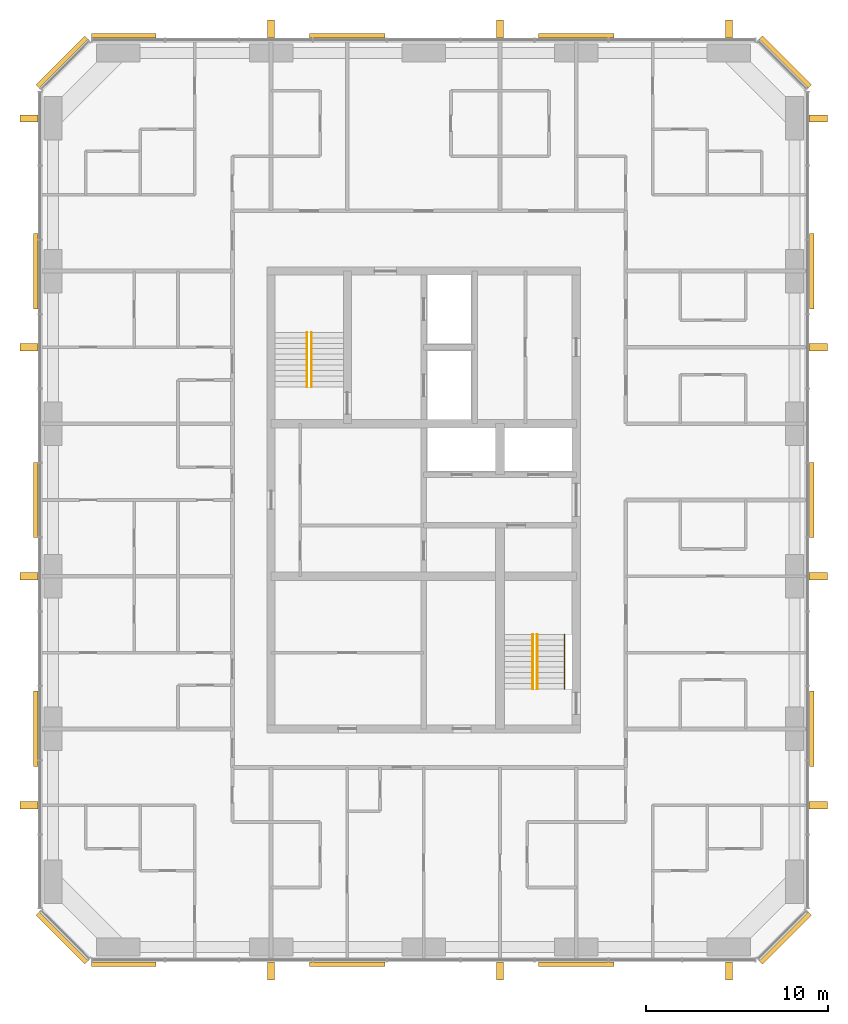
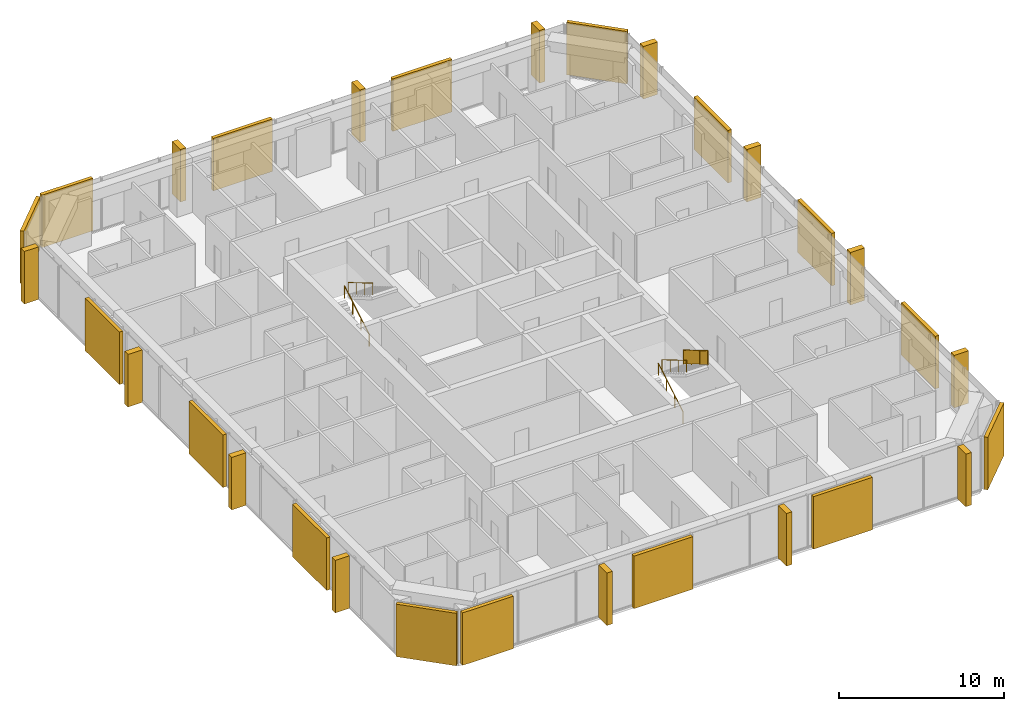
# One storey, part 12 of 12: 16 coverings, 14 shading devices, 5 railings.
"""IFC4 building model written with IfcOpenShell, lengths in metres."""

from ifc_helpers import new_model, si_unit, direction, frame, origin, origin_2d, place, context, subcontext, project, spatial, polyline, rectangle, circle, outline, extrude, material, layer, layer_set, type_object, element, save


model = new_model("IFC4")

# Units and contexts
model_context = context("Model", 3, precision=1e-05, world=origin(), true_north=direction((0.0, 1.0)))
body_context = subcontext(model_context, "Body", "Model", "MODEL_VIEW")
ifc_project = project(units=[si_unit("LENGTHUNIT", "METRE"), si_unit("AREAUNIT", "SQUARE_METRE"), si_unit("VOLUMEUNIT", "CUBIC_METRE"), si_unit("PLANEANGLEUNIT", "RADIAN"), si_unit("MASSUNIT", "GRAM", prefix="KILO")], contexts=[model_context])

# Site, building, storey
site_placement = place(None, origin())
site = spatial("IfcSite", under=ifc_project, at=site_placement, CompositionType="ELEMENT")
building_placement = place(site_placement, origin())
building = spatial("IfcBuilding", under=site, at=building_placement, Name="Dunama Terrace Hotel", CompositionType="ELEMENT")
storey_placement = place(building_placement, frame((0.0, 0.0, 260.699951171875)))
storey = spatial("IfcBuildingStorey", under=building, at=storey_placement, Name="L67", CompositionType="ELEMENT", Elevation=260.699951171875)

# Railings
ifc_material_1 = material(Name="Stainless steel and laminated glass guard", Category="steel")
railing_type_1 = type_object("IfcRailingType", Name="Guard 1100", PredefinedType="GUARDRAIL", material=ifc_material_1)
railing_1_placement = place(storey_placement, frame((41.35009765625, 22.0, 2.12744140625)))
element("IfcRailing", 1, at=railing_1_placement, inside=storey, type_object=railing_type_1, Name="Stair guard ST2 L67", PredefinedType="GUARDRAIL", context=body_context, shape_type="SweptSolid", body=[
    extrude(circle(Radius=0.02392578125, at=origin_2d()), frame((0.0, 0.0, 1.076171875), z_axis=(0.0, -0.86092931783, 0.508724591208), x_axis=(1.0, 0.0, 0.0)), (0.0, 0.0, 1.0), 3.484619140625),
    extrude(circle(Radius=0.02099609375, at=origin_2d()), origin(), (0.0, 0.0, 1.0), 1.052001953125),
    extrude(circle(Radius=0.02099609375, at=origin_2d()), frame((0.0, -1.0, 0.5908203125)), (0.0, 0.0, 1.0), 1.052001953125),
    extrude(circle(Radius=0.02099609375, at=origin_2d()), frame((0.0, -2.0, 1.181884765625)), (0.0, 0.0, 1.0), 1.052001953125),
    extrude(circle(Radius=0.02099609375, at=origin_2d()), frame((0.0, -3.0, 1.772705078125)), (0.0, 0.0, 1.0), 1.052001953125),
    extrude(outline(polyline([(0.0048828125, 0.052978515625), (0.9951171875, 0.63818359375), (0.9951171875, 1.6640625), (0.0048828125, 1.078857421875), (0.0048828125, 0.052978515625)])), frame((0.0087890625, 0.0, 0.0), z_axis=(-1.0, 0.0, 0.0), x_axis=(0.0, -1.0, 0.0)), (0.0, 0.0, 1.0), 0.017578125),
    extrude(outline(polyline([(0.0048828125, 0.052978515625), (0.9951171875, 0.63818359375), (0.9951171875, 1.6640625), (0.0048828125, 1.078857421875), (0.0048828125, 0.052978515625)])), frame((0.0087890625, -1.0, 0.5908203125), z_axis=(-1.0, 0.0, 0.0), x_axis=(0.0, -1.0, 0.0)), (0.0, 0.0, 1.0), 0.017578125),
    extrude(outline(polyline([(0.0048828125, 0.052978515625), (0.9951171875, 0.63818359375), (0.9951171875, 1.6640625), (0.0048828125, 1.078857421875), (0.0048828125, 0.052978515625)])), frame((0.0087890625, -2.0, 1.181884765625), z_axis=(-1.0, 0.0, 0.0), x_axis=(0.0, -1.0, 0.0)), (0.0, 0.0, 1.0), 0.017578125),
])
ifc_material_2 = material(Name="Stainless steel handrail", Category="steel")
railing_type_2 = type_object("IfcRailingType", Name="Stair handrail 900", PredefinedType="HANDRAIL", material=ifc_material_2)
railing_2_placement = place(storey_placement, frame((27.175048828125, 35.625, 0.17724609375)))
element("IfcRailing", 2, at=railing_2_placement, inside=storey, type_object=railing_type_2, Name="Handrail ST1 L67", PredefinedType="HANDRAIL", context=body_context, shape_type="SweptSolid", body=[
    extrude(circle(Radius=0.02392578125, at=origin_2d()), frame((0.0, 0.0, 0.8759765625), z_axis=(0.0, 0.86092931783, 0.508724591208), x_axis=(-1.0, 0.0, 0.0)), (0.0, 0.0, 1.0), 3.484619140625),
    extrude(circle(Radius=0.02099609375, at=origin_2d()), origin(), (0.0, 0.0, 1.0), 0.851806640625),
    extrude(circle(Radius=0.02099609375, at=origin_2d()), frame((0.0, 1.0, 0.5908203125)), (0.0, 0.0, 1.0), 0.851806640625),
    extrude(circle(Radius=0.02099609375, at=origin_2d()), frame((0.0, 2.0, 1.181884765625)), (0.0, 0.0, 1.0), 0.851806640625),
    extrude(circle(Radius=0.02099609375, at=origin_2d()), frame((0.0, 3.0, 1.772705078125)), (0.0, 0.0, 1.0), 0.851806640625),
])
railing_3_placement = place(storey_placement, frame((27.425048828125, 38.625, 2.12744140625)))
element("IfcRailing", 3, at=railing_3_placement, inside=storey, type_object=railing_type_2, Name="Handrail ST1 L67", PredefinedType="HANDRAIL", context=body_context, shape_type="SweptSolid", body=[
    extrude(circle(Radius=0.02392578125, at=origin_2d()), frame((0.0, 0.0, 0.8759765625), z_axis=(0.0, -0.86092931783, 0.508724591208), x_axis=(1.0, 0.0, 0.0)), (0.0, 0.0, 1.0), 3.484619140625),
    extrude(circle(Radius=0.02099609375, at=origin_2d()), origin(), (0.0, 0.0, 1.0), 0.851806640625),
    extrude(circle(Radius=0.02099609375, at=origin_2d()), frame((0.0, -1.0, 0.5908203125)), (0.0, 0.0, 1.0), 0.851806640625),
    extrude(circle(Radius=0.02099609375, at=origin_2d()), frame((0.0, -2.0, 1.181884765625)), (0.0, 0.0, 1.0), 0.851806640625),
    extrude(circle(Radius=0.02099609375, at=origin_2d()), frame((0.0, -3.0, 1.772705078125)), (0.0, 0.0, 1.0), 0.851806640625),
])
railing_4_placement = place(storey_placement, frame((39.60009765625, 19.0, 0.17724609375)))
element("IfcRailing", 4, at=railing_4_placement, inside=storey, type_object=railing_type_2, Name="Handrail ST2 L67", PredefinedType="HANDRAIL", context=body_context, shape_type="SweptSolid", body=[
    extrude(circle(Radius=0.02392578125, at=origin_2d()), frame((0.0, 0.0, 0.8759765625), z_axis=(0.0, 0.86092931783, 0.508724591208), x_axis=(-1.0, 0.0, 0.0)), (0.0, 0.0, 1.0), 3.484619140625),
    extrude(circle(Radius=0.02099609375, at=origin_2d()), origin(), (0.0, 0.0, 1.0), 0.851806640625),
    extrude(circle(Radius=0.02099609375, at=origin_2d()), frame((0.0, 1.0, 0.5908203125)), (0.0, 0.0, 1.0), 0.851806640625),
    extrude(circle(Radius=0.02099609375, at=origin_2d()), frame((0.0, 2.0, 1.181884765625)), (0.0, 0.0, 1.0), 0.851806640625),
    extrude(circle(Radius=0.02099609375, at=origin_2d()), frame((0.0, 3.0, 1.772705078125)), (0.0, 0.0, 1.0), 0.851806640625),
])
railing_5_placement = place(storey_placement, frame((39.85009765625, 22.0, 2.12744140625)))
element("IfcRailing", 5, at=railing_5_placement, inside=storey, type_object=railing_type_2, Name="Handrail ST2 L67", PredefinedType="HANDRAIL", context=body_context, shape_type="SweptSolid", body=[
    extrude(circle(Radius=0.02392578125, at=origin_2d()), frame((0.0, 0.0, 0.8759765625), z_axis=(0.0, -0.86092931783, 0.508724591208), x_axis=(1.0, 0.0, 0.0)), (0.0, 0.0, 1.0), 3.484619140625),
    extrude(circle(Radius=0.02099609375, at=origin_2d()), origin(), (0.0, 0.0, 1.0), 0.851806640625),
    extrude(circle(Radius=0.02099609375, at=origin_2d()), frame((0.0, -1.0, 0.5908203125)), (0.0, 0.0, 1.0), 0.851806640625),
    extrude(circle(Radius=0.02099609375, at=origin_2d()), frame((0.0, -2.0, 1.181884765625)), (0.0, 0.0, 1.0), 0.851806640625),
    extrude(circle(Radius=0.02099609375, at=origin_2d()), frame((0.0, -3.0, 1.772705078125)), (0.0, 0.0, 1.0), 0.851806640625),
])

# Coverings
ifc_material_3 = material(Name="Warm reconstituted stone panel", Category="masonry")
ifc_layer_1 = layer(ifc_material_3, 0.25)
ifc_layer_set_1 = layer_set([ifc_layer_1], Name="Stone diagonal panel")
covering_type = type_object("IfcCoveringType", Name="Stone diagonal panel", PredefinedType="CLADDING", material=ifc_layer_set_1)
covering_1_placement = place(storey_placement, frame((17.090087890625, 3.8369140625, 0.001953125), z_axis=(0.0, 0.0, 1.0), x_axis=(1.0, 0.0, 0.0)))
element("IfcCovering", 6, at=covering_1_placement, inside=storey, type_object=covering_type, Name="Stone diagonal panel L67", PredefinedType="CLADDING", context=body_context, shape_type="SweptSolid", body=[
    extrude(rectangle(XDim=3.570068359375, YDim=0.25, at=origin_2d()), origin(), (0.0, 0.0, 1.0), 3.89599609375),
])
for number, where, z_axis, x_axis, name in (
    (7, (29.39990234375, 3.8369140625, 0.001953125), (0.0, 0.0, 1.0), (1.0, 0.0, 0.0), "Stone diagonal panel L67"),
    (8, (42.0, 3.8369140625, 0.001953125), (0.0, 0.0, 1.0), (1.0, 0.0, 0.0), "Stone diagonal panel L67"),
):
    element("IfcCovering", number, at=place(storey_placement, frame(where, z_axis=z_axis, x_axis=x_axis)), inside=storey, type_object=covering_type, Name=name, PredefinedType="CLADDING", context=body_context, shape_type="SweptSolid", body=[
        extrude(rectangle(XDim=4.14990234375, YDim=0.25, at=origin_2d()), origin(), (0.0, 0.0, 1.0), 3.89599609375),
    ])
covering_2_placement = place(storey_placement, frame((53.507080078125, 5.29296875, 0.001953125), z_axis=(0.0, 0.0, 1.0), x_axis=(0.707106781187, 0.707106781187, 0.0)))
element("IfcCovering", 9, at=covering_2_placement, inside=storey, type_object=covering_type, Name="Stone diagonal panel L67", PredefinedType="CLADDING", context=body_context, shape_type="SweptSolid", body=[
    extrude(rectangle(XDim=3.808349609375, YDim=0.25, at=origin_2d()), origin(), (0.0, 0.0, 1.0), 3.89599609375),
])
for number, where, z_axis, x_axis, name in (
    (10, (54.962890625, 16.800048828125, 0.001953125), (0.0, 0.0, 1.0), (0.0, 1.0, 0.0), "Stone diagonal panel L67"),
    (11, (54.962890625, 29.39990234375, 0.001953125), (0.0, 0.0, 1.0), (0.0, 1.0, 0.0), "Stone diagonal panel L67"),
    (12, (54.962890625, 42.0, 0.001953125), (0.0, 0.0, 1.0), (0.0, 1.0, 0.0), "Stone diagonal panel L67"),
):
    element("IfcCovering", number, at=place(storey_placement, frame(where, z_axis=z_axis, x_axis=x_axis)), inside=storey, type_object=covering_type, Name=name, PredefinedType="CLADDING", context=body_context, shape_type="SweptSolid", body=[
        extrude(rectangle(XDim=4.14990234375, YDim=0.25, at=origin_2d()), origin(), (0.0, 0.0, 1.0), 3.89599609375),
    ])
covering_3_placement = place(storey_placement, frame((53.507080078125, 53.507080078125, 0.001953125), z_axis=(0.0, 0.0, 1.0), x_axis=(-0.707106781187, 0.707106781187, 0.0)))
element("IfcCovering", 13, at=covering_3_placement, inside=storey, type_object=covering_type, Name="Stone diagonal panel L67", PredefinedType="CLADDING", context=body_context, shape_type="SweptSolid", body=[
    extrude(rectangle(XDim=3.808349609375, YDim=0.25, at=origin_2d()), origin(), (0.0, 0.0, 1.0), 3.89599609375),
])
for number, where, z_axis, x_axis, name in (
    (14, (42.0, 54.962890625, 0.001953125), (0.0, 0.0, 1.0), (-1.0, 0.0, 0.0), "Stone diagonal panel L67"),
    (15, (29.39990234375, 54.962890625, 0.001953125), (0.0, 0.0, 1.0), (-1.0, 0.0, 0.0), "Stone diagonal panel L67"),
):
    element("IfcCovering", number, at=place(storey_placement, frame(where, z_axis=z_axis, x_axis=x_axis)), inside=storey, type_object=covering_type, Name=name, PredefinedType="CLADDING", context=body_context, shape_type="SweptSolid", body=[
        extrude(rectangle(XDim=4.14990234375, YDim=0.25, at=origin_2d()), origin(), (0.0, 0.0, 1.0), 3.89599609375),
    ])
covering_4_placement = place(storey_placement, frame((17.090087890625, 54.962890625, 0.001953125), z_axis=(0.0, 0.0, 1.0), x_axis=(-1.0, 0.0, 0.0)))
element("IfcCovering", 16, at=covering_4_placement, inside=storey, type_object=covering_type, Name="Stone diagonal panel L67", PredefinedType="CLADDING", context=body_context, shape_type="SweptSolid", body=[
    extrude(rectangle(XDim=3.570068359375, YDim=0.25, at=origin_2d()), origin(), (0.0, 0.0, 1.0), 3.89599609375),
])
covering_5_placement = place(storey_placement, frame((13.693115234375, 53.507080078125, 0.001953125), z_axis=(0.0, 0.0, 1.0), x_axis=(-0.707106781187, -0.707106781187, 0.0)))
element("IfcCovering", 17, at=covering_5_placement, inside=storey, type_object=covering_type, Name="Stone diagonal panel L67", PredefinedType="CLADDING", context=body_context, shape_type="SweptSolid", body=[
    extrude(rectangle(XDim=3.808349609375, YDim=0.25, at=origin_2d()), origin(), (0.0, 0.0, 1.0), 3.89599609375),
])
for number, where, z_axis, x_axis, name in (
    (18, (12.237060546875, 42.0, 0.001953125), (0.0, 0.0, 1.0), (0.0, -1.0, 0.0), "Stone diagonal panel L67"),
    (19, (12.237060546875, 29.39990234375, 0.001953125), (0.0, 0.0, 1.0), (0.0, -1.0, 0.0), "Stone diagonal panel L67"),
    (20, (12.237060546875, 16.800048828125, 0.001953125), (0.0, 0.0, 1.0), (0.0, -1.0, 0.0), "Stone diagonal panel L67"),
):
    element("IfcCovering", number, at=place(storey_placement, frame(where, z_axis=z_axis, x_axis=x_axis)), inside=storey, type_object=covering_type, Name=name, PredefinedType="CLADDING", context=body_context, shape_type="SweptSolid", body=[
        extrude(rectangle(XDim=4.14990234375, YDim=0.25, at=origin_2d()), origin(), (0.0, 0.0, 1.0), 3.89599609375),
    ])
covering_6_placement = place(storey_placement, frame((13.693115234375, 5.29296875, 0.001953125), z_axis=(0.0, 0.0, 1.0), x_axis=(0.707106781187, -0.707106781187, 0.0)))
element("IfcCovering", 21, at=covering_6_placement, inside=storey, type_object=covering_type, Name="Stone diagonal panel L67", PredefinedType="CLADDING", context=body_context, shape_type="SweptSolid", body=[
    extrude(rectangle(XDim=3.808349609375, YDim=0.25, at=origin_2d()), origin(), (0.0, 0.0, 1.0), 3.89599609375),
])

# Shading devices
ifc_material_4 = material(Name="Warm reconstituted stone fin", Category="masonry")
ifc_layer_2 = layer(ifc_material_4, 0.39990234375)
ifc_layer_set_2 = layer_set([ifc_layer_2], Name="Warm stone fin 400x1000")
shading_device_type = type_object("IfcShadingDeviceType", Name="Warm stone fin 400x1000", PredefinedType="USERDEFINED", material=ifc_layer_set_2)
for number, where, z_axis, x_axis, name in (
    (22, (25.199951171875, 3.48193359375, 0.0), (0.0, 0.0, 1.0), (1.0, 0.0, 0.0), "Stone fin"),
    (23, (37.800048828125, 3.48193359375, 0.0), (0.0, 0.0, 1.0), (1.0, 0.0, 0.0), "Stone fin"),
    (24, (50.39990234375, 3.48193359375, 0.0), (0.0, 0.0, 1.0), (1.0, 0.0, 0.0), "Stone fin"),
    (25, (55.318115234375, 12.60009765625, 0.0), (0.0, 0.0, 1.0), (0.0, 1.0, 0.0), "Stone fin"),
    (26, (55.318115234375, 25.199951171875, 0.0), (0.0, 0.0, 1.0), (0.0, 1.0, 0.0), "Stone fin"),
    (27, (55.318115234375, 37.800048828125, 0.0), (0.0, 0.0, 1.0), (0.0, 1.0, 0.0), "Stone fin"),
    (28, (55.318115234375, 50.39990234375, 0.0), (0.0, 0.0, 1.0), (0.0, 1.0, 0.0), "Stone fin"),
    (29, (50.39990234375, 55.318115234375, 0.0), (0.0, 0.0, 1.0), (-1.0, 0.0, 0.0), "Stone fin"),
    (30, (37.800048828125, 55.318115234375, 0.0), (0.0, 0.0, 1.0), (-1.0, 0.0, 0.0), "Stone fin"),
    (31, (25.199951171875, 55.318115234375, 0.0), (0.0, 0.0, 1.0), (-1.0, 0.0, 0.0), "Stone fin"),
    (32, (11.882080078125, 50.39990234375, 0.0), (0.0, 0.0, 1.0), (0.0, -1.0, 0.0), "Stone fin"),
    (33, (11.882080078125, 37.800048828125, 0.0), (0.0, 0.0, 1.0), (0.0, -1.0, 0.0), "Stone fin"),
    (34, (11.882080078125, 25.199951171875, 0.0), (0.0, 0.0, 1.0), (0.0, -1.0, 0.0), "Stone fin"),
    (35, (11.882080078125, 12.60009765625, 0.0), (0.0, 0.0, 1.0), (0.0, -1.0, 0.0), "Stone fin"),
):
    element("IfcShadingDevice", number, at=place(storey_placement, frame(where, z_axis=z_axis, x_axis=x_axis)), inside=storey, type_object=shading_device_type, Name=name, ObjectType="FIN", PredefinedType="USERDEFINED", context=body_context, shape_type="SweptSolid", body=[
        extrude(rectangle(XDim=0.39990234375, YDim=1.0, at=origin_2d()), origin(), (0.0, 0.0, 1.0), 3.89990234375),
    ])

save(model, "model.ifc")
